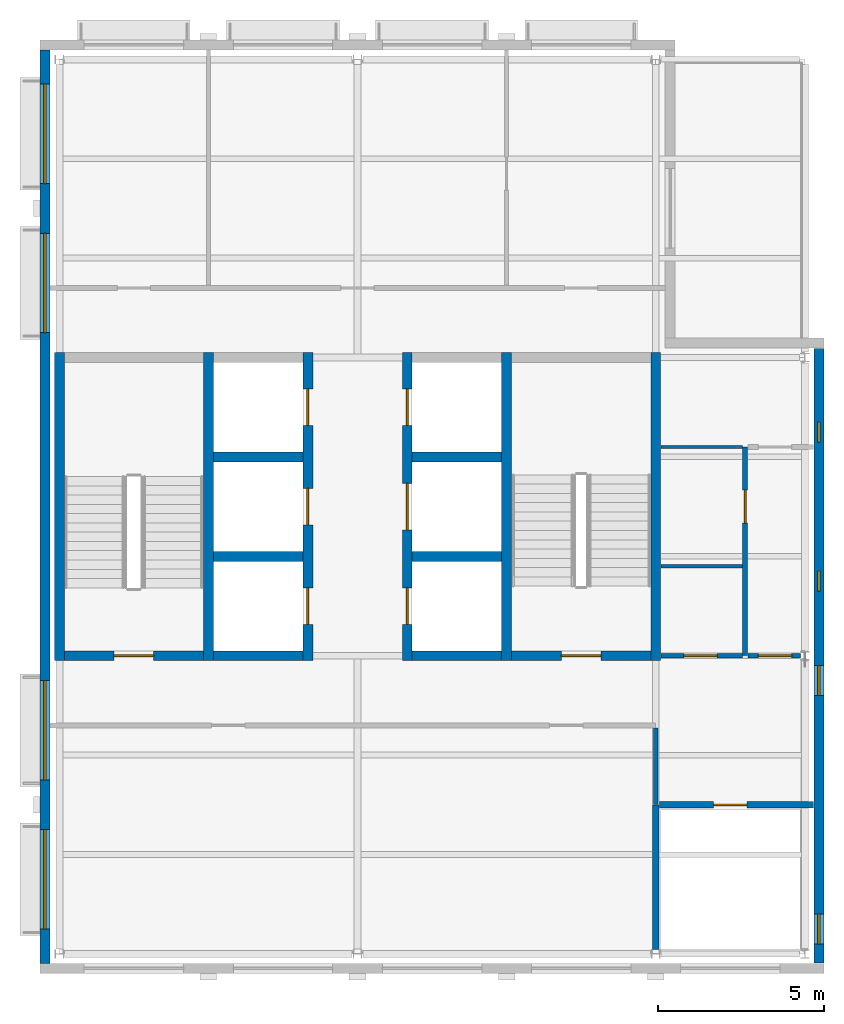
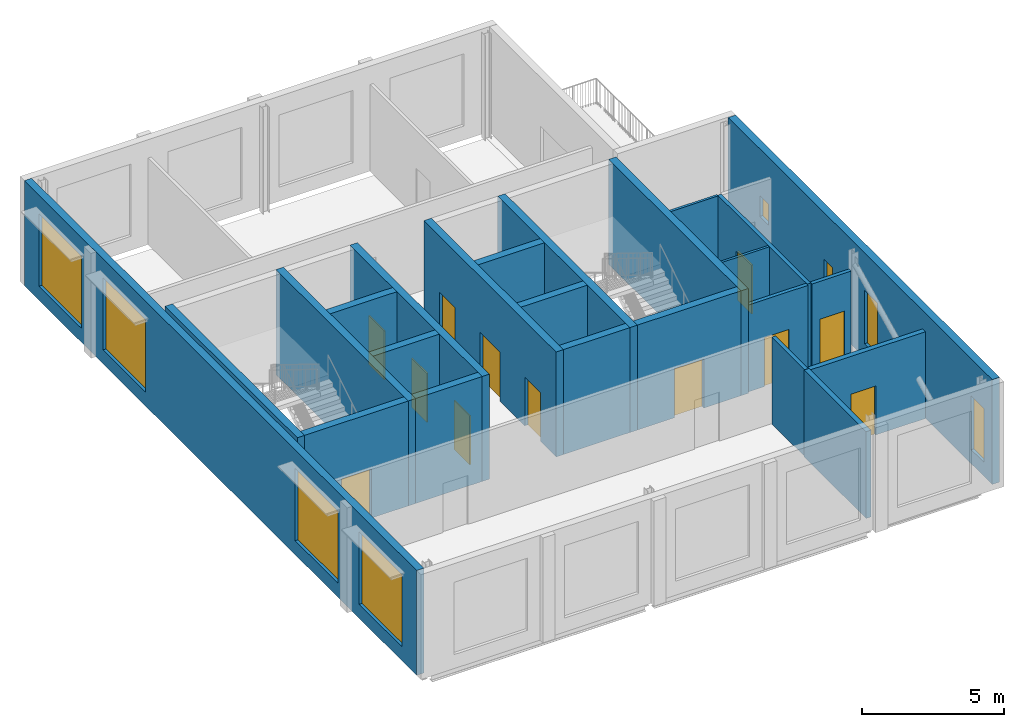
# One storey, part 2 of 5: 24 walls, 12 doors, 8 windows, 20 openings.
"""IFC4 building model written with IfcOpenShell, lengths in metres."""

from ifc_helpers import new_model, si_unit, direction, frame, frame_2d, origin, place, context, subcontext, project, spatial, rectangle, extrude, material, layer, layer_set, type_object, element, fill, save


model = new_model("IFC4")

# Units and contexts
model_context = context("Model", 3, precision=1e-05, world=origin(), true_north=direction((0.0, 1.0)))
body_context = subcontext(model_context, "Body", "Model", "MODEL_VIEW")
ifc_project = project(units=[si_unit("LENGTHUNIT", "METRE"), si_unit("AREAUNIT", "SQUARE_METRE"), si_unit("VOLUMEUNIT", "CUBIC_METRE"), si_unit("PLANEANGLEUNIT", "RADIAN"), si_unit("MASSUNIT", "GRAM", prefix="KILO")], contexts=[model_context])

# Site, building, storey
site_placement = place(None, origin())
site = spatial("IfcSite", under=ifc_project, at=site_placement, CompositionType="ELEMENT")
building_placement = place(site_placement, origin())
building = spatial("IfcBuilding", under=site, at=building_placement, Name="Hortulan Conservatory and Botanical Research Centre", CompositionType="ELEMENT")
storey_placement = place(building_placement, frame((0.0, 0.0, 65.39990234375)))
storey = spatial("IfcBuildingStorey", under=building, at=storey_placement, Name="L15", CompositionType="ELEMENT", Elevation=65.39990234375)

# Wall
ifc_material_1 = material(Name="Fire-rated plasterboard on steel studs", Category="steel")
ifc_layer_1 = layer(ifc_material_1, 0.199951171875)
ifc_layer_set_1 = layer_set([ifc_layer_1], Name="Compartment Partition 200")
wall_type_1 = type_object("IfcWallType", Name="Compartment Partition 200", PredefinedType="PARTITIONING", material=ifc_layer_set_1)
wall_1_placement = place(storey_placement, frame((27.0, 0.139892578125, 0.0), z_axis=(0.0, 0.0, 1.0), x_axis=(0.0, 1.0, 0.0)))
element("IfcWall", 1, at=wall_1_placement, inside=storey, type_object=wall_type_1, Name="Riser wall", PredefinedType="PARTITIONING", context=body_context, shape_type="SweptSolid", body=[
    extrude(rectangle(XDim=4.360107421875, YDim=0.199951171875, at=frame_2d((2.18017578125, 0.0))), origin(), (0.0, 0.0, 1.0), 3.72314453125),
])

# Wall, opening, door
wall_2_placement = place(storey_placement, frame((27.110107421875, 4.5, 0.0), z_axis=(0.0, 0.0, 1.0), x_axis=(1.0, 0.0, 0.0)))
wall_2 = element("IfcWall", 2, at=wall_2_placement, inside=storey, type_object=wall_type_1, Name="Riser wall", PredefinedType="PARTITIONING", context=body_context, shape_type="SweptSolid", body=[
    extrude(rectangle(XDim=4.65478515625, YDim=0.199951171875, at=frame_2d((2.327392578125, 0.0))), origin(), (0.0, 0.0, 1.0), 3.72314453125),
])
opening_1_placement = place(wall_2_placement, frame((1.639892578125, 0.0, 0.0)))
opening_1 = element("IfcOpeningElement", 3, at=opening_1_placement, cuts=wall_2, Name="Opening DT6", PredefinedType="OPENING", context=body_context, shape_type="SweptSolid", body=[
    extrude(rectangle(XDim=1.0, YDim=2.10009765625, at=frame_2d((0.5, 1.050048828125))), frame((0.0, 0.10986328125, 0.0), z_axis=(0.0, -1.0, 0.0), x_axis=(1.0, 0.0, 0.0)), (0.0, 0.0, 1.0), 0.219970703125),
])
ifc_material_2 = material(Name="Steel door leaf, insulated", Category="steel")
door_type_1 = type_object("IfcDoorType", Name="Fire Door 1000x2100 FRL -/120/30", OperationType="NOTDEFINED", PredefinedType="DOOR", material=ifc_material_2)
door_1_placement = place(opening_1_placement, frame((1.0, 0.0, 0.0), z_axis=(0.0, 0.0, 1.0), x_axis=(-1.0, 0.0, 0.0)))
door_1 = element("IfcDoor", 4, at=door_1_placement, inside=storey, type_object=door_type_1, Name="Door DT6 Services Riser", OperationType="SINGLE_SWING_LEFT", OverallHeight=2.10009765625, OverallWidth=1.0, PredefinedType="DOOR", context=body_context, shape_type="SweptSolid", body=[
    extrude(rectangle(XDim=1.0, YDim=2.10009765625, at=frame_2d((0.5, 1.050048828125))), frame((0.0, 0.02490234375, 0.0), z_axis=(0.0, -1.0, 0.0), x_axis=(1.0, 0.0, 0.0)), (0.0, 0.0, 1.0), 0.050048828125),
])
fill(opening_1, door_1)

# Walls
ifc_material_3 = material(Name="Concrete N40 (40 MPa, AS 3600)", Category="concrete")
ifc_layer_2 = layer(ifc_material_3, 0.300048828125)
ifc_layer_set_2 = layer_set([ifc_layer_2], Name="Core Wall 300 N40 FRL 240/120/120")
wall_type_2 = type_object("IfcWallType", Name="Core Wall 300 N40 FRL 240/120/120", PredefinedType="SHEAR", material=ifc_layer_set_2)
for number, where, z_axis, x_axis, name in (
    (5, (9.0, 8.85009765625, 0.0), (0.0, 0.0, 1.0), (0.0, 1.0, 0.0), "Reinforced concrete shaft wall"),
    (6, (13.5, 8.85009765625, 0.0), (0.0, 0.0, 1.0), (0.0, 1.0, 0.0), "Reinforced concrete shaft wall"),
):
    element("IfcWall", number, at=place(storey_placement, frame(where, z_axis=z_axis, x_axis=x_axis)), inside=storey, type_object=wall_type_2, Name=name, PredefinedType="SHEAR", context=body_context, shape_type="SweptSolid", body=[
        extrude(rectangle(XDim=9.2998046875, YDim=0.300048828125, at=frame_2d((4.64990234375, 0.0))), origin(), (0.0, 0.0, 1.0), 4.5),
    ])

# Wall, openings, doors
wall_3_placement = place(storey_placement, frame((16.5, 8.85009765625, 0.0), z_axis=(0.0, 0.0, 1.0), x_axis=(0.0, 1.0, 0.0)))
wall_3 = element("IfcWall", 7, at=wall_3_placement, inside=storey, type_object=wall_type_2, Name="Reinforced concrete shaft wall", PredefinedType="SHEAR", context=body_context, shape_type="SweptSolid", body=[
    extrude(rectangle(XDim=9.2998046875, YDim=0.300048828125, at=frame_2d((4.64990234375, 0.0))), origin(), (0.0, 0.0, 1.0), 4.5),
])
opening_2_placement = place(wall_3_placement, frame((1.10009765625, 0.0, 0.0)))
opening_2 = element("IfcOpeningElement", 8, at=opening_2_placement, cuts=wall_3, Name="Opening LD1", PredefinedType="OPENING", context=body_context, shape_type="SweptSolid", body=[
    extrude(rectangle(XDim=1.10009765625, YDim=2.10009765625, at=frame_2d((0.550048828125, 1.050048828125))), frame((0.0, 0.159912109375, 0.0), z_axis=(0.0, -1.0, 0.0), x_axis=(1.0, 0.0, 0.0)), (0.0, 0.0, 1.0), 0.320068359375),
])
opening_3_placement = place(wall_3_placement, frame((4.10009765625, 0.0, 0.0)))
opening_3 = element("IfcOpeningElement", 9, at=opening_3_placement, cuts=wall_3, Name="Opening LD1", PredefinedType="OPENING", context=body_context, shape_type="SweptSolid", body=[
    extrude(rectangle(XDim=1.10009765625, YDim=2.10009765625, at=frame_2d((0.550048828125, 1.050048828125))), frame((0.0, 0.159912109375, 0.0), z_axis=(0.0, -1.0, 0.0), x_axis=(1.0, 0.0, 0.0)), (0.0, 0.0, 1.0), 0.320068359375),
])
opening_4_placement = place(wall_3_placement, frame((7.10009765625, 0.0, 0.0)))
opening_4 = element("IfcOpeningElement", 10, at=opening_4_placement, cuts=wall_3, Name="Opening LD1", PredefinedType="OPENING", context=body_context, shape_type="SweptSolid", body=[
    extrude(rectangle(XDim=1.10009765625, YDim=2.10009765625, at=frame_2d((0.550048828125, 1.050048828125))), frame((0.0, 0.159912109375, 0.0), z_axis=(0.0, -1.0, 0.0), x_axis=(1.0, 0.0, 0.0)), (0.0, 0.0, 1.0), 0.320068359375),
])
ifc_material_4 = material(Name="Stainless steel door leaves in steel frame", Category="steel")
door_type_2 = type_object("IfcDoorType", Name="Lift Landing Door 1100x2100", OperationType="DOUBLE_DOOR_SLIDING", PredefinedType="DOOR", material=ifc_material_4)
door_2_placement = place(opening_2_placement, origin())
door_2 = element("IfcDoor", 11, at=door_2_placement, inside=storey, type_object=door_type_2, Name="Lift LP1 landing door L15", OperationType="DOUBLE_DOOR_SLIDING", OverallHeight=2.10009765625, OverallWidth=1.10009765625, PredefinedType="DOOR", context=body_context, shape_type="SweptSolid", body=[
    extrude(rectangle(XDim=1.10009765625, YDim=2.10009765625, at=frame_2d((0.550048828125, 1.050048828125))), frame((0.0, 0.02490234375, 0.0), z_axis=(0.0, -1.0, 0.0), x_axis=(1.0, 0.0, 0.0)), (0.0, 0.0, 1.0), 0.050048828125),
])
fill(opening_2, door_2)
door_3_placement = place(opening_3_placement, origin())
door_3 = element("IfcDoor", 12, at=door_3_placement, inside=storey, type_object=door_type_2, Name="Lift LP2 landing door L15", OperationType="DOUBLE_DOOR_SLIDING", OverallHeight=2.10009765625, OverallWidth=1.10009765625, PredefinedType="DOOR", context=body_context, shape_type="SweptSolid", body=[
    extrude(rectangle(XDim=1.10009765625, YDim=2.10009765625, at=frame_2d((0.550048828125, 1.050048828125))), frame((0.0, 0.02490234375, 0.0), z_axis=(0.0, -1.0, 0.0), x_axis=(1.0, 0.0, 0.0)), (0.0, 0.0, 1.0), 0.050048828125),
])
fill(opening_3, door_3)
door_4_placement = place(opening_4_placement, origin())
door_4 = element("IfcDoor", 13, at=door_4_placement, inside=storey, type_object=door_type_2, Name="Lift LP3 landing door L15", OperationType="DOUBLE_DOOR_SLIDING", OverallHeight=2.10009765625, OverallWidth=1.10009765625, PredefinedType="DOOR", context=body_context, shape_type="SweptSolid", body=[
    extrude(rectangle(XDim=1.10009765625, YDim=2.10009765625, at=frame_2d((0.550048828125, 1.050048828125))), frame((0.0, 0.02490234375, 0.0), z_axis=(0.0, -1.0, 0.0), x_axis=(1.0, 0.0, 0.0)), (0.0, 0.0, 1.0), 0.050048828125),
])
fill(opening_4, door_4)

wall_4_placement = place(storey_placement, frame((19.5, 8.85009765625, 0.0), z_axis=(0.0, 0.0, 1.0), x_axis=(0.0, 1.0, 0.0)))
wall_4 = element("IfcWall", 14, at=wall_4_placement, inside=storey, type_object=wall_type_2, Name="Reinforced concrete shaft wall", PredefinedType="SHEAR", context=body_context, shape_type="SweptSolid", body=[
    extrude(rectangle(XDim=9.2998046875, YDim=0.300048828125, at=frame_2d((4.64990234375, 0.0))), origin(), (0.0, 0.0, 1.0), 4.5),
])
opening_5_placement = place(wall_4_placement, frame((1.10009765625, 0.0, 0.0)))
opening_5 = element("IfcOpeningElement", 15, at=opening_5_placement, cuts=wall_4, Name="Opening LD1", PredefinedType="OPENING", context=body_context, shape_type="SweptSolid", body=[
    extrude(rectangle(XDim=1.10009765625, YDim=2.10009765625, at=frame_2d((0.550048828125, 1.050048828125))), frame((0.0, 0.159912109375, 0.0), z_axis=(0.0, -1.0, 0.0), x_axis=(1.0, 0.0, 0.0)), (0.0, 0.0, 1.0), 0.320068359375),
])
opening_6_placement = place(wall_4_placement, frame((3.949951171875, 0.0, 0.0)))
opening_6 = element("IfcOpeningElement", 16, at=opening_6_placement, cuts=wall_4, Name="Opening LD2", PredefinedType="OPENING", context=body_context, shape_type="SweptSolid", body=[
    extrude(rectangle(XDim=1.39990234375, YDim=2.10009765625, at=frame_2d((0.699951171875, 1.050048828125))), frame((0.0, 0.159912109375, 0.0), z_axis=(0.0, -1.0, 0.0), x_axis=(1.0, 0.0, 0.0)), (0.0, 0.0, 1.0), 0.320068359375),
])
opening_7_placement = place(wall_4_placement, frame((7.10009765625, 0.0, 0.0)))
opening_7 = element("IfcOpeningElement", 17, at=opening_7_placement, cuts=wall_4, Name="Opening LD1", PredefinedType="OPENING", context=body_context, shape_type="SweptSolid", body=[
    extrude(rectangle(XDim=1.10009765625, YDim=2.10009765625, at=frame_2d((0.550048828125, 1.050048828125))), frame((0.0, 0.159912109375, 0.0), z_axis=(0.0, -1.0, 0.0), x_axis=(1.0, 0.0, 0.0)), (0.0, 0.0, 1.0), 0.320068359375),
])
door_5_placement = place(opening_5_placement, origin())
door_5 = element("IfcDoor", 18, at=door_5_placement, inside=storey, type_object=door_type_2, Name="Lift LP4 landing door L15", OperationType="DOUBLE_DOOR_SLIDING", OverallHeight=2.10009765625, OverallWidth=1.10009765625, PredefinedType="DOOR", context=body_context, shape_type="SweptSolid", body=[
    extrude(rectangle(XDim=1.10009765625, YDim=2.10009765625, at=frame_2d((0.550048828125, 1.050048828125))), frame((0.0, 0.02490234375, 0.0), z_axis=(0.0, -1.0, 0.0), x_axis=(1.0, 0.0, 0.0)), (0.0, 0.0, 1.0), 0.050048828125),
])
fill(opening_5, door_5)
door_6_placement = place(opening_7_placement, origin())
door_6 = element("IfcDoor", 19, at=door_6_placement, inside=storey, type_object=door_type_2, Name="Lift LF1 landing door L15", OperationType="DOUBLE_DOOR_SLIDING", OverallHeight=2.10009765625, OverallWidth=1.10009765625, PredefinedType="DOOR", context=body_context, shape_type="SweptSolid", body=[
    extrude(rectangle(XDim=1.10009765625, YDim=2.10009765625, at=frame_2d((0.550048828125, 1.050048828125))), frame((0.0, 0.02490234375, 0.0), z_axis=(0.0, -1.0, 0.0), x_axis=(1.0, 0.0, 0.0)), (0.0, 0.0, 1.0), 0.050048828125),
])
fill(opening_7, door_6)
door_type_3 = type_object("IfcDoorType", Name="Lift Landing Door 1400x2100", OperationType="DOUBLE_DOOR_SLIDING", PredefinedType="DOOR", material=ifc_material_4)
door_7_placement = place(opening_6_placement, origin())
door_7 = element("IfcDoor", 20, at=door_7_placement, inside=storey, type_object=door_type_3, Name="Lift LG1 landing door L15", OperationType="DOUBLE_DOOR_SLIDING", OverallHeight=2.10009765625, OverallWidth=1.39990234375, PredefinedType="DOOR", context=body_context, shape_type="SweptSolid", body=[
    extrude(rectangle(XDim=1.39990234375, YDim=2.10009765625, at=frame_2d((0.699951171875, 1.050048828125))), frame((0.0, 0.02490234375, 0.0), z_axis=(0.0, -1.0, 0.0), x_axis=(1.0, 0.0, 0.0)), (0.0, 0.0, 1.0), 0.050048828125),
])
fill(opening_6, door_7)

# Walls
for number, where, z_axis, x_axis, name in (
    (21, (22.5, 8.85009765625, 0.0), (0.0, 0.0, 1.0), (0.0, 1.0, 0.0), "Reinforced concrete shaft wall"),
    (22, (27.0, 8.85009765625, 0.0), (0.0, 0.0, 1.0), (0.0, 1.0, 0.0), "Reinforced concrete shaft wall"),
):
    element("IfcWall", number, at=place(storey_placement, frame(where, z_axis=z_axis, x_axis=x_axis)), inside=storey, type_object=wall_type_2, Name=name, PredefinedType="SHEAR", context=body_context, shape_type="SweptSolid", body=[
        extrude(rectangle(XDim=9.2998046875, YDim=0.300048828125, at=frame_2d((4.64990234375, 0.0))), origin(), (0.0, 0.0, 1.0), 4.5),
    ])

# Wall, opening, door
wall_5_placement = place(storey_placement, frame((9.14990234375, 9.0, 0.0), z_axis=(0.0, 0.0, 1.0), x_axis=(1.0, 0.0, 0.0)))
wall_5 = element("IfcWall", 23, at=wall_5_placement, inside=storey, type_object=wall_type_2, Name="Reinforced concrete shaft wall", PredefinedType="SHEAR", context=body_context, shape_type="SweptSolid", body=[
    extrude(rectangle(XDim=4.2001953125, YDim=0.300048828125, at=frame_2d((2.10009765625, 0.0))), origin(), (0.0, 0.0, 1.0), 4.5),
])
opening_8_placement = place(wall_5_placement, frame((1.5, 0.0, 0.0)))
opening_8 = element("IfcOpeningElement", 24, at=opening_8_placement, cuts=wall_5, Name="Opening DT5", PredefinedType="OPENING", context=body_context, shape_type="SweptSolid", body=[
    extrude(rectangle(XDim=1.199951171875, YDim=2.10009765625, at=frame_2d((0.60009765625, 1.050048828125))), frame((0.0, 0.159912109375, 0.0), z_axis=(0.0, -1.0, 0.0), x_axis=(1.0, 0.0, 0.0)), (0.0, 0.0, 1.0), 0.320068359375),
])
door_type_4 = type_object("IfcDoorType", Name="Stair Door 1200x2100 FRL -/120/30", OperationType="NOTDEFINED", PredefinedType="DOOR", material=ifc_material_2)
door_8_placement = place(opening_8_placement, origin())
door_8 = element("IfcDoor", 25, at=door_8_placement, inside=storey, type_object=door_type_4, Name="Door DT5 Exit Stair T1", OperationType="SINGLE_SWING_RIGHT", OverallHeight=2.10009765625, OverallWidth=1.199951171875, PredefinedType="DOOR", context=body_context, shape_type="SweptSolid", body=[
    extrude(rectangle(XDim=1.199951171875, YDim=2.10009765625, at=frame_2d((0.60009765625, 1.050048828125))), frame((0.0, 0.02490234375, 0.0), z_axis=(0.0, -1.0, 0.0), x_axis=(1.0, 0.0, 0.0)), (0.0, 0.0, 1.0), 0.050048828125),
])
fill(opening_8, door_8)

# Walls
for number, where, z_axis, x_axis, name in (
    (26, (13.64990234375, 9.0, 0.0), (0.0, 0.0, 1.0), (1.0, 0.0, 0.0), "Reinforced concrete shaft wall"),
    (27, (19.64990234375, 9.0, 0.0), (0.0, 0.0, 1.0), (1.0, 0.0, 0.0), "Reinforced concrete shaft wall"),
):
    element("IfcWall", number, at=place(storey_placement, frame(where, z_axis=z_axis, x_axis=x_axis)), inside=storey, type_object=wall_type_2, Name=name, PredefinedType="SHEAR", context=body_context, shape_type="SweptSolid", body=[
        extrude(rectangle(XDim=2.7001953125, YDim=0.300048828125, at=frame_2d((1.35009765625, 0.0))), origin(), (0.0, 0.0, 1.0), 4.5),
    ])

# Wall, opening, door
wall_6_placement = place(storey_placement, frame((22.64990234375, 9.0, 0.0), z_axis=(0.0, 0.0, 1.0), x_axis=(1.0, 0.0, 0.0)))
wall_6 = element("IfcWall", 28, at=wall_6_placement, inside=storey, type_object=wall_type_2, Name="Reinforced concrete shaft wall", PredefinedType="SHEAR", context=body_context, shape_type="SweptSolid", body=[
    extrude(rectangle(XDim=4.2001953125, YDim=0.300048828125, at=frame_2d((2.10009765625, 0.0))), origin(), (0.0, 0.0, 1.0), 4.5),
])
opening_9_placement = place(wall_6_placement, frame((1.5, 0.0, 0.0)))
opening_9 = element("IfcOpeningElement", 29, at=opening_9_placement, cuts=wall_6, Name="Opening DT5", PredefinedType="OPENING", context=body_context, shape_type="SweptSolid", body=[
    extrude(rectangle(XDim=1.199951171875, YDim=2.10009765625, at=frame_2d((0.60009765625, 1.050048828125))), frame((0.0, 0.159912109375, 0.0), z_axis=(0.0, -1.0, 0.0), x_axis=(1.0, 0.0, 0.0)), (0.0, 0.0, 1.0), 0.320068359375),
])
door_9_placement = place(opening_9_placement, origin())
door_9 = element("IfcDoor", 30, at=door_9_placement, inside=storey, type_object=door_type_4, Name="Door DT5 Exit Stair T2", OperationType="SINGLE_SWING_LEFT", OverallHeight=2.10009765625, OverallWidth=1.199951171875, PredefinedType="DOOR", context=body_context, shape_type="SweptSolid", body=[
    extrude(rectangle(XDim=1.199951171875, YDim=2.10009765625, at=frame_2d((0.60009765625, 1.050048828125))), frame((0.0, 0.02490234375, 0.0), z_axis=(0.0, -1.0, 0.0), x_axis=(1.0, 0.0, 0.0)), (0.0, 0.0, 1.0), 0.050048828125),
])
fill(opening_9, door_9)

# Walls
for number, where, z_axis, x_axis, name in (
    (31, (13.64990234375, 12.0, 0.0), (0.0, 0.0, 1.0), (1.0, 0.0, 0.0), "Reinforced concrete shaft wall"),
    (32, (19.64990234375, 12.0, 0.0), (0.0, 0.0, 1.0), (1.0, 0.0, 0.0), "Reinforced concrete shaft wall"),
    (33, (13.64990234375, 15.0, 0.0), (0.0, 0.0, 1.0), (1.0, 0.0, 0.0), "Reinforced concrete shaft wall"),
    (34, (19.64990234375, 15.0, 0.0), (0.0, 0.0, 1.0), (1.0, 0.0, 0.0), "Reinforced concrete shaft wall"),
):
    element("IfcWall", number, at=place(storey_placement, frame(where, z_axis=z_axis, x_axis=x_axis)), inside=storey, type_object=wall_type_2, Name=name, PredefinedType="SHEAR", context=body_context, shape_type="SweptSolid", body=[
        extrude(rectangle(XDim=2.7001953125, YDim=0.300048828125, at=frame_2d((1.35009765625, 0.0))), origin(), (0.0, 0.0, 1.0), 4.5),
    ])
ifc_material_5 = material(Name="Plasterboard on steel studs", Category="steel")
ifc_layer_3 = layer(ifc_material_5, 0.14990234375)
ifc_layer_set_3 = layer_set([ifc_layer_3], Name="Corridor Partition 150")
wall_type_3 = type_object("IfcWallType", Name="Corridor Partition 150", PredefinedType="PARTITIONING", material=ifc_layer_set_3)
wall_7_placement = place(storey_placement, frame((27.0, 4.510009765625, 0.0), z_axis=(0.0, 0.0, 1.0), x_axis=(0.0, 1.0, 0.0)))
element("IfcWall", 35, at=wall_7_placement, inside=storey, type_object=wall_type_3, Name="Corridor partition", PredefinedType="PARTITIONING", context=body_context, shape_type="SweptSolid", body=[
    extrude(rectangle(XDim=2.304931640625, YDim=0.14990234375, at=frame_2d((1.15234375, 0.0))), origin(), (0.0, 0.0, 1.0), 3.72314453125),
])

# Wall, opening, door
wall_8_placement = place(storey_placement, frame((27.159912109375, 9.0, 0.0), z_axis=(0.0, 0.0, 1.0), x_axis=(1.0, 0.0, 0.0)))
wall_8 = element("IfcWall", 36, at=wall_8_placement, inside=storey, type_object=wall_type_3, Name="Corridor partition", PredefinedType="PARTITIONING", context=body_context, shape_type="SweptSolid", body=[
    extrude(rectangle(XDim=2.455078125, YDim=0.14990234375, at=frame_2d((1.2275390625, 0.0))), origin(), (0.0, 0.0, 1.0), 3.72314453125),
])
opening_10_placement = place(wall_8_placement, frame((0.68994140625, 0.0, 0.0)))
opening_10 = element("IfcOpeningElement", 37, at=opening_10_placement, cuts=wall_8, Name="Opening DT1", PredefinedType="OPENING", context=body_context, shape_type="SweptSolid", body=[
    extrude(rectangle(XDim=1.0, YDim=2.10009765625, at=frame_2d((0.5, 1.050048828125))), frame((0.0, 0.0849609375, 0.0), z_axis=(0.0, -1.0, 0.0), x_axis=(1.0, 0.0, 0.0)), (0.0, 0.0, 1.0), 0.169921875),
])
ifc_material_6 = material(Name="Timber door leaf in timber frame", Category="wood")
door_type_5 = type_object("IfcDoorType", Name="Single Door 1000x2100", OperationType="NOTDEFINED", PredefinedType="DOOR", material=ifc_material_6)
door_10_placement = place(opening_10_placement, origin())
door_10 = element("IfcDoor", 38, at=door_10_placement, inside=storey, type_object=door_type_5, Name="Door DT1 Accessible WC", OperationType="SINGLE_SWING_RIGHT", OverallHeight=2.10009765625, OverallWidth=1.0, PredefinedType="DOOR", context=body_context, shape_type="SweptSolid", body=[
    extrude(rectangle(XDim=1.0, YDim=2.10009765625, at=frame_2d((0.5, 1.050048828125))), frame((0.0, 0.02490234375, 0.0), z_axis=(0.0, -1.0, 0.0), x_axis=(1.0, 0.0, 0.0)), (0.0, 0.0, 1.0), 0.050048828125),
])
fill(opening_10, door_10)

ifc_layer_4 = layer(ifc_material_1, 0.14990234375)
ifc_layer_set_4 = layer_set([ifc_layer_4], Name="Lobby Partition 150")
wall_type_4 = type_object("IfcWallType", Name="Lobby Partition 150", PredefinedType="PARTITIONING", material=ifc_layer_set_4)
wall_9_placement = place(storey_placement, frame((29.699951171875, 9.0, 0.0), z_axis=(0.0, 0.0, 1.0), x_axis=(0.0, 1.0, 0.0)))
wall_9 = element("IfcWall", 39, at=wall_9_placement, inside=storey, type_object=wall_type_4, Name="Lobby partition", PredefinedType="PARTITIONING", context=body_context, shape_type="SweptSolid", body=[
    extrude(rectangle(XDim=6.300048828125, YDim=0.14990234375, at=frame_2d((3.14990234375, 0.0))), origin(), (0.0, 0.0, 1.0), 3.72314453125),
])
opening_11_placement = place(wall_9_placement, frame((4.0, 0.0, 0.0)))
opening_11 = element("IfcOpeningElement", 40, at=opening_11_placement, cuts=wall_9, Name="Opening DT4", PredefinedType="OPENING", context=body_context, shape_type="SweptSolid", body=[
    extrude(rectangle(XDim=1.0, YDim=2.10009765625, at=frame_2d((0.5, 1.050048828125))), frame((0.0, 0.0849609375, 0.0), z_axis=(0.0, -1.0, 0.0), x_axis=(1.0, 0.0, 0.0)), (0.0, 0.0, 1.0), 0.169921875),
])
door_type_6 = type_object("IfcDoorType", Name="Fire Door 1000x2100 FRL -/60/30", OperationType="NOTDEFINED", PredefinedType="DOOR", material=ifc_material_2)
door_11_placement = place(opening_11_placement, origin())
door_11 = element("IfcDoor", 41, at=door_11_placement, inside=storey, type_object=door_type_6, Name="Door DT4 Women's WC", OperationType="SINGLE_SWING_LEFT", OverallHeight=2.10009765625, OverallWidth=1.0, PredefinedType="DOOR", context=body_context, shape_type="SweptSolid", body=[
    extrude(rectangle(XDim=1.0, YDim=2.10009765625, at=frame_2d((0.5, 1.050048828125))), frame((0.0, 0.02490234375, 0.0), z_axis=(0.0, -1.0, 0.0), x_axis=(1.0, 0.0, 0.0)), (0.0, 0.0, 1.0), 0.050048828125),
])
fill(opening_11, door_11)

wall_10_placement = place(storey_placement, frame((29.784912109375, 9.0, 0.0), z_axis=(0.0, 0.0, 1.0), x_axis=(1.0, 0.0, 0.0)))
wall_10 = element("IfcWall", 42, at=wall_10_placement, inside=storey, type_object=wall_type_4, Name="Lobby partition", PredefinedType="PARTITIONING", context=body_context, shape_type="SweptSolid", body=[
    extrude(rectangle(XDim=1.5771484375, YDim=0.14990234375, at=frame_2d((0.78857421875, 0.0))), origin(), (0.0, 0.0, 1.0), 3.72314453125),
])
opening_12_placement = place(wall_10_placement, frame((0.31494140625, 0.0, 0.0)))
opening_12 = element("IfcOpeningElement", 43, at=opening_12_placement, cuts=wall_10, Name="Opening DT4", PredefinedType="OPENING", context=body_context, shape_type="SweptSolid", body=[
    extrude(rectangle(XDim=1.0, YDim=2.10009765625, at=frame_2d((0.5, 1.050048828125))), frame((0.0, 0.0849609375, 0.0), z_axis=(0.0, -1.0, 0.0), x_axis=(1.0, 0.0, 0.0)), (0.0, 0.0, 1.0), 0.169921875),
])
door_12_placement = place(opening_12_placement, origin())
door_12 = element("IfcDoor", 44, at=door_12_placement, inside=storey, type_object=door_type_6, Name="Door DT4 WC Lobby", OperationType="SINGLE_SWING_LEFT", OverallHeight=2.10009765625, OverallWidth=1.0, PredefinedType="DOOR", context=body_context, shape_type="SweptSolid", body=[
    extrude(rectangle(XDim=1.0, YDim=2.10009765625, at=frame_2d((0.5, 1.050048828125))), frame((0.0, 0.02490234375, 0.0), z_axis=(0.0, -1.0, 0.0), x_axis=(1.0, 0.0, 0.0)), (0.0, 0.0, 1.0), 0.050048828125),
])
fill(opening_12, door_12)

# Wall, openings, windows
ifc_material_7 = material(Name="Verdigris copper-green zinc cladding on lightweight framing", Category="metal")
ifc_layer_5 = layer(ifc_material_7, 0.300048828125)
ifc_layer_set_5 = layer_set([ifc_layer_5], Name="Verdigris Zinc Clad Wall 300")
wall_type_5 = type_object("IfcWallType", Name="Verdigris Zinc Clad Wall 300", PredefinedType="STANDARD", material=ifc_layer_set_5)
wall_11_placement = place(storey_placement, frame((8.56396484375, -0.285888671875, 0.0), z_axis=(0.0, 0.0, 1.0), x_axis=(0.0, 1.0, 0.0)))
wall_11 = element("IfcWall", 45, at=wall_11_placement, inside=storey, type_object=wall_type_5, Name="E-EW-TW-L15-W2", PredefinedType="STANDARD", context=body_context, shape_type="SweptSolid", body=[
    extrude(rectangle(XDim=27.57177734375, YDim=0.300048828125, at=frame_2d((13.785888671875, 0.0))), origin(), (0.0, 0.0, 1.0), 4.5),
])
opening_13_placement = place(wall_11_placement, frame((1.035888671875, 0.0, 0.60009765625)))
opening_13 = element("IfcOpeningElement", 46, at=opening_13_placement, cuts=wall_11, Name="Opening W8", PredefinedType="OPENING", context=body_context, shape_type="SweptSolid", body=[
    extrude(rectangle(XDim=3.0, YDim=3.10009765625, at=frame_2d((1.5, 1.550048828125))), frame((0.0, 0.159912109375, 0.0), z_axis=(0.0, -1.0, 0.0), x_axis=(1.0, 0.0, 0.0)), (0.0, 0.0, 1.0), 0.320068359375),
])
opening_14_placement = place(wall_11_placement, frame((5.535888671875, 0.0, 0.60009765625)))
opening_14 = element("IfcOpeningElement", 47, at=opening_14_placement, cuts=wall_11, Name="Opening W8", PredefinedType="OPENING", context=body_context, shape_type="SweptSolid", body=[
    extrude(rectangle(XDim=3.0, YDim=3.10009765625, at=frame_2d((1.5, 1.550048828125))), frame((0.0, 0.159912109375, 0.0), z_axis=(0.0, -1.0, 0.0), x_axis=(1.0, 0.0, 0.0)), (0.0, 0.0, 1.0), 0.320068359375),
])
opening_15_placement = place(wall_11_placement, frame((19.035888671875, 0.0, 0.60009765625)))
opening_15 = element("IfcOpeningElement", 48, at=opening_15_placement, cuts=wall_11, Name="Opening W8", PredefinedType="OPENING", context=body_context, shape_type="SweptSolid", body=[
    extrude(rectangle(XDim=3.0, YDim=3.10009765625, at=frame_2d((1.5, 1.550048828125))), frame((0.0, 0.159912109375, 0.0), z_axis=(0.0, -1.0, 0.0), x_axis=(1.0, 0.0, 0.0)), (0.0, 0.0, 1.0), 0.320068359375),
])
opening_16_placement = place(wall_11_placement, frame((23.535888671875, 0.0, 0.60009765625)))
opening_16 = element("IfcOpeningElement", 49, at=opening_16_placement, cuts=wall_11, Name="Opening W8", PredefinedType="OPENING", context=body_context, shape_type="SweptSolid", body=[
    extrude(rectangle(XDim=3.0, YDim=3.10009765625, at=frame_2d((1.5, 1.550048828125))), frame((0.0, 0.159912109375, 0.0), z_axis=(0.0, -1.0, 0.0), x_axis=(1.0, 0.0, 0.0)), (0.0, 0.0, 1.0), 0.320068359375),
])
ifc_material_8 = material(Name="Bronze-finished aluminium frame with low-e laminated double glazing", Category="aluminium")
window_type_1 = type_object("IfcWindowType", Name="Attic Window 3000x3100", PartitioningType="SINGLE_PANEL", PredefinedType="WINDOW", material=ifc_material_8)
window_1_placement = place(opening_13_placement, origin())
window_1 = element("IfcWindow", 50, at=window_1_placement, inside=storey, type_object=window_type_1, Name="Attic window", OverallHeight=3.10009765625, OverallWidth=3.0, PartitioningType="SINGLE_PANEL", PredefinedType="WINDOW", context=body_context, shape_type="SweptSolid", body=[
    extrude(rectangle(XDim=3.0, YDim=3.10009765625, at=frame_2d((1.5, 1.550048828125))), frame((0.0, 0.030029296875, 0.0), z_axis=(0.0, -1.0, 0.0), x_axis=(1.0, 0.0, 0.0)), (0.0, 0.0, 1.0), 0.06005859375),
])
fill(opening_13, window_1)
window_2_placement = place(opening_14_placement, origin())
window_2 = element("IfcWindow", 51, at=window_2_placement, inside=storey, type_object=window_type_1, Name="Attic window", OverallHeight=3.10009765625, OverallWidth=3.0, PartitioningType="SINGLE_PANEL", PredefinedType="WINDOW", context=body_context, shape_type="SweptSolid", body=[
    extrude(rectangle(XDim=3.0, YDim=3.10009765625, at=frame_2d((1.5, 1.550048828125))), frame((0.0, 0.030029296875, 0.0), z_axis=(0.0, -1.0, 0.0), x_axis=(1.0, 0.0, 0.0)), (0.0, 0.0, 1.0), 0.06005859375),
])
fill(opening_14, window_2)
window_3_placement = place(opening_15_placement, origin())
window_3 = element("IfcWindow", 52, at=window_3_placement, inside=storey, type_object=window_type_1, Name="Attic window", OverallHeight=3.10009765625, OverallWidth=3.0, PartitioningType="SINGLE_PANEL", PredefinedType="WINDOW", context=body_context, shape_type="SweptSolid", body=[
    extrude(rectangle(XDim=3.0, YDim=3.10009765625, at=frame_2d((1.5, 1.550048828125))), frame((0.0, 0.030029296875, 0.0), z_axis=(0.0, -1.0, 0.0), x_axis=(1.0, 0.0, 0.0)), (0.0, 0.0, 1.0), 0.06005859375),
])
fill(opening_15, window_3)
window_4_placement = place(opening_16_placement, origin())
window_4 = element("IfcWindow", 53, at=window_4_placement, inside=storey, type_object=window_type_1, Name="Attic window", OverallHeight=3.10009765625, OverallWidth=3.0, PartitioningType="SINGLE_PANEL", PredefinedType="WINDOW", context=body_context, shape_type="SweptSolid", body=[
    extrude(rectangle(XDim=3.0, YDim=3.10009765625, at=frame_2d((1.5, 1.550048828125))), frame((0.0, 0.030029296875, 0.0), z_axis=(0.0, -1.0, 0.0), x_axis=(1.0, 0.0, 0.0)), (0.0, 0.0, 1.0), 0.06005859375),
])
fill(opening_16, window_4)

wall_12_placement = place(storey_placement, frame((31.925048828125, 18.27490234375, 0.0), z_axis=(0.0, 0.0, 1.0), x_axis=(0.0, -1.0, 0.0)))
wall_12 = element("IfcWall", 54, at=wall_12_placement, inside=storey, type_object=wall_type_5, Name="E-EW-TW-L15-E6", PredefinedType="STANDARD", context=body_context, shape_type="SweptSolid", body=[
    extrude(rectangle(XDim=18.5498046875, YDim=0.300048828125, at=frame_2d((9.27490234375, 0.0))), origin(), (0.0, 0.0, 1.0), 4.5),
])
opening_17_placement = place(wall_12_placement, frame((17.074951171875, 0.0, 0.60009765625)))
opening_17 = element("IfcOpeningElement", 55, at=opening_17_placement, cuts=wall_12, Name="Opening W7", PredefinedType="OPENING", context=body_context, shape_type="SweptSolid", body=[
    extrude(rectangle(XDim=0.89990234375, YDim=2.300048828125, at=frame_2d((0.449951171875, 1.14990234375))), frame((0.0, 0.159912109375, 0.0), z_axis=(0.0, -1.0, 0.0), x_axis=(1.0, 0.0, 0.0)), (0.0, 0.0, 1.0), 0.320068359375),
])
opening_18_placement = place(wall_12_placement, frame((9.574951171875, 0.0, 0.60009765625)))
opening_18 = element("IfcOpeningElement", 56, at=opening_18_placement, cuts=wall_12, Name="Opening W7", PredefinedType="OPENING", context=body_context, shape_type="SweptSolid", body=[
    extrude(rectangle(XDim=0.89990234375, YDim=2.300048828125, at=frame_2d((0.449951171875, 1.14990234375))), frame((0.0, 0.159912109375, 0.0), z_axis=(0.0, -1.0, 0.0), x_axis=(1.0, 0.0, 0.0)), (0.0, 0.0, 1.0), 0.320068359375),
])
opening_19_placement = place(wall_12_placement, frame((6.72509765625, 0.0, 1.60009765625)))
opening_19 = element("IfcOpeningElement", 57, at=opening_19_placement, cuts=wall_12, Name="Opening W3", PredefinedType="OPENING", context=body_context, shape_type="SweptSolid", body=[
    extrude(rectangle(XDim=0.60009765625, YDim=0.89990234375, at=frame_2d((0.300048828125, 0.449951171875))), frame((0.0, 0.159912109375, 0.0), z_axis=(0.0, -1.0, 0.0), x_axis=(1.0, 0.0, 0.0)), (0.0, 0.0, 1.0), 0.320068359375),
])
opening_20_placement = place(wall_12_placement, frame((2.22509765625, 0.0, 1.60009765625)))
opening_20 = element("IfcOpeningElement", 58, at=opening_20_placement, cuts=wall_12, Name="Opening W3", PredefinedType="OPENING", context=body_context, shape_type="SweptSolid", body=[
    extrude(rectangle(XDim=0.60009765625, YDim=0.89990234375, at=frame_2d((0.300048828125, 0.449951171875))), frame((0.0, 0.159912109375, 0.0), z_axis=(0.0, -1.0, 0.0), x_axis=(1.0, 0.0, 0.0)), (0.0, 0.0, 1.0), 0.320068359375),
])
window_type_2 = type_object("IfcWindowType", Name="Attic Pier Window 900x2300", PartitioningType="SINGLE_PANEL", PredefinedType="WINDOW", material=ifc_material_8)
window_5_placement = place(opening_17_placement, origin())
window_5 = element("IfcWindow", 59, at=window_5_placement, inside=storey, type_object=window_type_2, Name="Attic Pier window", OverallHeight=2.300048828125, OverallWidth=0.89990234375, PartitioningType="SINGLE_PANEL", PredefinedType="WINDOW", context=body_context, shape_type="SweptSolid", body=[
    extrude(rectangle(XDim=0.89990234375, YDim=2.300048828125, at=frame_2d((0.449951171875, 1.14990234375))), frame((0.0, 0.030029296875, 0.0), z_axis=(0.0, -1.0, 0.0), x_axis=(1.0, 0.0, 0.0)), (0.0, 0.0, 1.0), 0.06005859375),
])
fill(opening_17, window_5)
window_6_placement = place(opening_18_placement, origin())
window_6 = element("IfcWindow", 60, at=window_6_placement, inside=storey, type_object=window_type_2, Name="Attic Pier window", OverallHeight=2.300048828125, OverallWidth=0.89990234375, PartitioningType="SINGLE_PANEL", PredefinedType="WINDOW", context=body_context, shape_type="SweptSolid", body=[
    extrude(rectangle(XDim=0.89990234375, YDim=2.300048828125, at=frame_2d((0.449951171875, 1.14990234375))), frame((0.0, 0.030029296875, 0.0), z_axis=(0.0, -1.0, 0.0), x_axis=(1.0, 0.0, 0.0)), (0.0, 0.0, 1.0), 0.06005859375),
])
fill(opening_18, window_6)
window_type_3 = type_object("IfcWindowType", Name="Slot Window 600x900", PartitioningType="SINGLE_PANEL", PredefinedType="WINDOW", material=ifc_material_8)
window_7_placement = place(opening_19_placement, origin())
window_7 = element("IfcWindow", 61, at=window_7_placement, inside=storey, type_object=window_type_3, Name="Slot window", OverallHeight=0.89990234375, OverallWidth=0.60009765625, PartitioningType="SINGLE_PANEL", PredefinedType="WINDOW", context=body_context, shape_type="SweptSolid", body=[
    extrude(rectangle(XDim=0.60009765625, YDim=0.89990234375, at=frame_2d((0.300048828125, 0.449951171875))), frame((0.0, 0.030029296875, 0.0), z_axis=(0.0, -1.0, 0.0), x_axis=(1.0, 0.0, 0.0)), (0.0, 0.0, 1.0), 0.06005859375),
])
fill(opening_19, window_7)
window_8_placement = place(opening_20_placement, origin())
window_8 = element("IfcWindow", 62, at=window_8_placement, inside=storey, type_object=window_type_3, Name="Slot window", OverallHeight=0.89990234375, OverallWidth=0.60009765625, PartitioningType="SINGLE_PANEL", PredefinedType="WINDOW", context=body_context, shape_type="SweptSolid", body=[
    extrude(rectangle(XDim=0.60009765625, YDim=0.89990234375, at=frame_2d((0.300048828125, 0.449951171875))), frame((0.0, 0.030029296875, 0.0), z_axis=(0.0, -1.0, 0.0), x_axis=(1.0, 0.0, 0.0)), (0.0, 0.0, 1.0), 0.06005859375),
])
fill(opening_20, window_8)

# Walls
ifc_material_9 = material(Name="Moisture-resistant plasterboard on steel studs", Category="steel")
ifc_layer_6 = layer(ifc_material_9, 0.10009765625)
ifc_layer_set_6 = layer_set([ifc_layer_6], Name="Wet Area Partition 100")
wall_type_6 = type_object("IfcWallType", Name="Wet Area Partition 100", PredefinedType="PARTITIONING", material=ifc_layer_set_6)
for number, where, z_axis, x_axis, name in (
    (63, (27.159912109375, 11.699951171875, 0.0), (0.0, 0.0, 1.0), (1.0, 0.0, 0.0), "Toilet partition"),
    (64, (27.159912109375, 15.300048828125, 0.0), (0.0, 0.0, 1.0), (1.0, 0.0, 0.0), "Toilet partition"),
):
    element("IfcWall", number, at=place(storey_placement, frame(where, z_axis=z_axis, x_axis=x_axis)), inside=storey, type_object=wall_type_6, Name=name, PredefinedType="PARTITIONING", context=body_context, shape_type="SweptSolid", body=[
        extrude(rectangle(XDim=2.455078125, YDim=0.10009765625, at=frame_2d((1.2275390625, 0.0))), origin(), (0.0, 0.0, 1.0), 3.72314453125),
    ])

save(model, "model.ifc")
